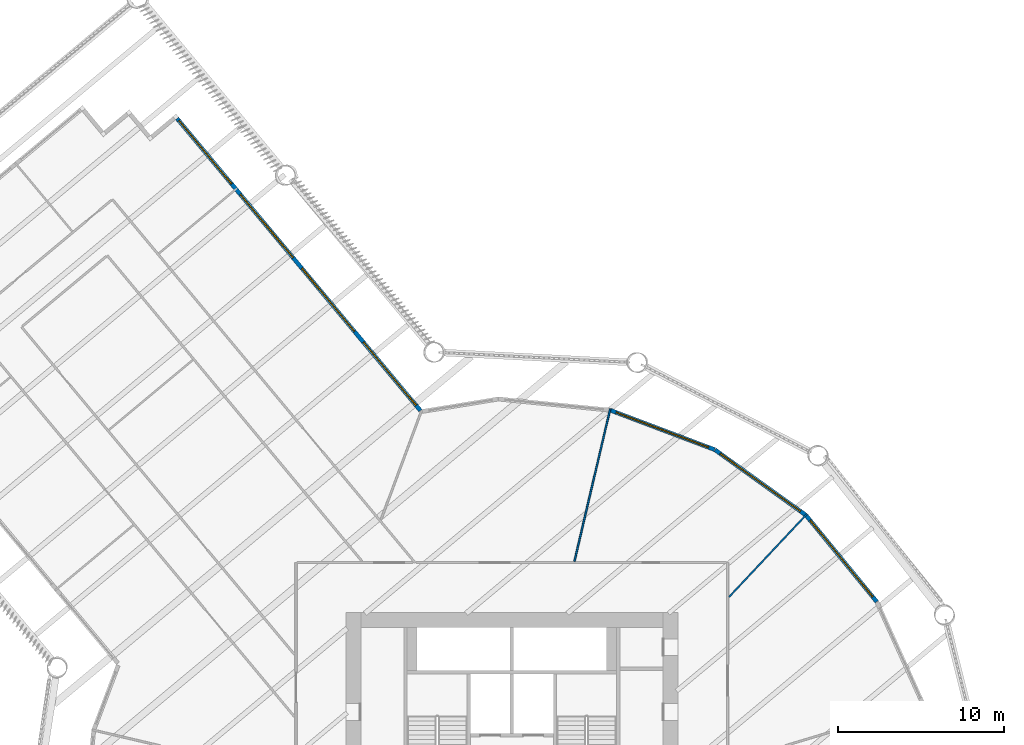
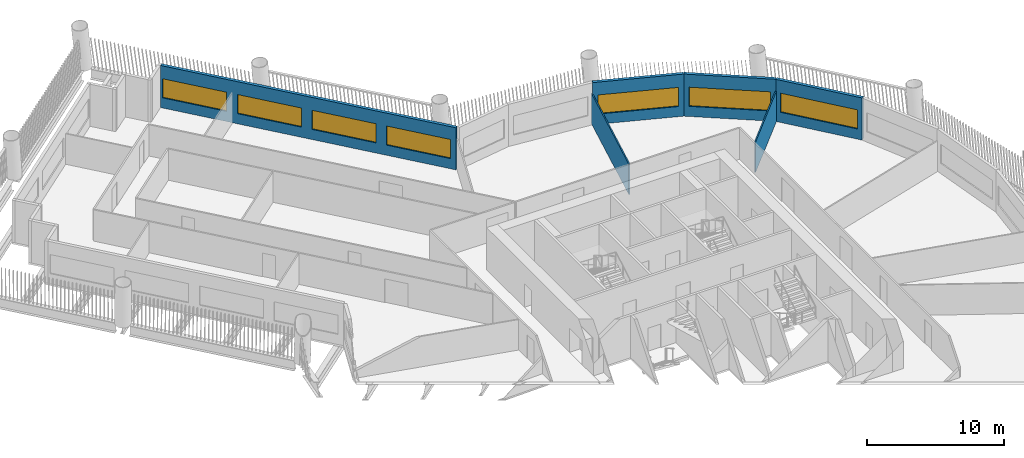
# One storey, part 7 of 15: 7 windows, 6 walls, 7 openings.
"""IFC4 building model written with IfcOpenShell, lengths in metres."""

from ifc_helpers import new_model, si_unit, direction, frame, frame_2d, origin, place, context, subcontext, project, spatial, rectangle, extrude, material, layer, layer_set, type_object, element, fill, save


model = new_model("IFC4")

# Units and contexts
model_context = context("Model", 3, precision=1e-05, world=origin(), true_north=direction((0.0, 1.0)))
body_context = subcontext(model_context, "Body", "Model", "MODEL_VIEW")
ifc_project = project(units=[si_unit("LENGTHUNIT", "METRE"), si_unit("AREAUNIT", "SQUARE_METRE"), si_unit("VOLUMEUNIT", "CUBIC_METRE"), si_unit("PLANEANGLEUNIT", "RADIAN"), si_unit("MASSUNIT", "GRAM", prefix="KILO")], contexts=[model_context])

# Site, building, storey
site_placement = place(None, origin())
site = spatial("IfcSite", under=ifc_project, at=site_placement, CompositionType="ELEMENT")
building_placement = place(site_placement, origin())
building = spatial("IfcBuilding", under=site, at=building_placement, Name="Tarsis Ring Headquarters", CompositionType="ELEMENT")
storey_placement = place(building_placement, frame((0.0, 0.0, 43.89990234375)))
storey = spatial("IfcBuildingStorey", under=building, at=storey_placement, Name="L08", CompositionType="ELEMENT", Elevation=43.89990234375)

# Walls
ifc_material_1 = material(Name="Gypsum board on steel studs", Category="steel")
ifc_layer_1 = layer(ifc_material_1, 0.10009765625)
ifc_layer_set_1 = layer_set([ifc_layer_1], Name="FL partition 100 unrated")
wall_type_1 = type_object("IfcWallType", Name="FL partition 100 unrated", PredefinedType="PARTITIONING", material=ifc_layer_set_1)
wall_1_placement = place(storey_placement, frame((3.768798828125, 16.068115234375, 0.0), z_axis=(0.0, 0.0, 1.0), x_axis=(0.228354822502, 0.97357797584, 0.0)))
element("IfcWall", 1, at=wall_1_placement, inside=storey, type_object=wall_type_1, Name="Partition PW3", PredefinedType="PARTITIONING", context=body_context, shape_type="SweptSolid", body=[
    extrude(rectangle(XDim=9.443603515625, YDim=0.10009765625, at=frame_2d((4.7216796875, 0.0))), origin(), (0.0, 0.0, 1.0), 2.7001953125),
])
wall_2_placement = place(storey_placement, frame((13.089111328125, 13.9384765625, 0.0), z_axis=(0.0, 0.0, 1.0), x_axis=(0.684532108906, 0.728982710273, 0.0)))
element("IfcWall", 2, at=wall_2_placement, inside=storey, type_object=wall_type_1, Name="Partition PW3", PredefinedType="PARTITIONING", context=body_context, shape_type="SweptSolid", body=[
    extrude(rectangle(XDim=6.8271484375, YDim=0.10009765625, at=frame_2d((3.41357421875, 0.0))), origin(), (0.0, 0.0, 1.0), 2.7001953125),
])

# Wall, opening, window
ifc_material_2 = material(Name="Terracotta clad insulated panel wall", Category="masonry")
ifc_layer_2 = layer(ifc_material_2, 0.25)
ifc_layer_set_2 = layer_set([ifc_layer_2], Name="Facade wall terracotta panel 250")
wall_type_2 = type_object("IfcWallType", Name="Facade wall terracotta panel 250", PredefinedType="STANDARD", material=ifc_layer_set_2)
wall_3_placement = place(storey_placement, frame((21.979736328125, 13.647216796875, 0.0), z_axis=(0.0, 0.0, 1.0), x_axis=(-0.63338216798, 0.773839149491, 0.0)))
wall_3 = element("IfcWall", 3, at=wall_3_placement, inside=storey, type_object=wall_type_2, Name="External wall L08-26", PredefinedType="STANDARD", context=body_context, shape_type="SweptSolid", body=[
    extrude(rectangle(XDim=6.7216796875, YDim=0.25, at=frame_2d((3.36083984375, 0.0))), origin(), (0.0, 0.0, 1.0), 3.739990234375),
])
opening_1_placement = place(wall_3_placement, frame((0.3857421875, 0.0, 0.89990234375)))
opening_1 = element("IfcOpeningElement", 4, at=opening_1_placement, cuts=wall_3, Name="Opening WN07", PredefinedType="OPENING", context=body_context, shape_type="SweptSolid", body=[
    extrude(rectangle(XDim=5.949951171875, YDim=1.699951171875, at=frame_2d((2.97509765625, 0.85009765625))), frame((0.0, 0.135009765625, 0.0), z_axis=(0.0, -1.0, 0.0), x_axis=(1.0, 0.0, 0.0)), (0.0, 0.0, 1.0), 0.27001953125),
])
ifc_material_3 = material(Name="Aluminium framed double glazing", Category="aluminium")
window_type_1 = type_object("IfcWindowType", Name="Facade window 5950 x 1700", PartitioningType="SINGLE_PANEL", PredefinedType="WINDOW", material=ifc_material_3)
window_1_placement = place(opening_1_placement, origin())
window_1 = element("IfcWindow", 5, at=window_1_placement, inside=storey, type_object=window_type_1, Name="Window L08-26.1", OverallHeight=1.699951171875, OverallWidth=5.949951171875, PartitioningType="SINGLE_PANEL", PredefinedType="WINDOW", context=body_context, shape_type="SweptSolid", body=[
    extrude(rectangle(XDim=5.949951171875, YDim=1.699951171875, at=frame_2d((2.97509765625, 0.85009765625))), frame((0.0, 0.030029296875, 0.0), z_axis=(0.0, -1.0, 0.0), x_axis=(1.0, 0.0, 0.0)), (0.0, 0.0, 1.0), 0.06005859375),
])
fill(opening_1, window_1)

wall_4_placement = place(storey_placement, frame((17.698486328125, 18.870849609375, 0.0), z_axis=(0.0, 0.0, 1.0), x_axis=(-0.812080993217, 0.583544737321, 0.0)))
wall_4 = element("IfcWall", 6, at=wall_4_placement, inside=storey, type_object=wall_type_2, Name="External wall L08-27", PredefinedType="STANDARD", context=body_context, shape_type="SweptSolid", body=[
    extrude(rectangle(XDim=6.7216796875, YDim=0.25, at=frame_2d((3.36083984375, 0.0))), origin(), (0.0, 0.0, 1.0), 3.739990234375),
])
opening_2_placement = place(wall_4_placement, frame((0.3857421875, 0.0, 0.89990234375)))
opening_2 = element("IfcOpeningElement", 7, at=opening_2_placement, cuts=wall_4, Name="Opening WN07", PredefinedType="OPENING", context=body_context, shape_type="SweptSolid", body=[
    extrude(rectangle(XDim=5.949951171875, YDim=1.699951171875, at=frame_2d((2.97509765625, 0.85009765625))), frame((0.0, 0.135009765625, 0.0), z_axis=(0.0, -1.0, 0.0), x_axis=(1.0, 0.0, 0.0)), (0.0, 0.0, 1.0), 0.27001953125),
])
window_2_placement = place(opening_2_placement, origin())
window_2 = element("IfcWindow", 8, at=window_2_placement, inside=storey, type_object=window_type_1, Name="Window L08-27.1", OverallHeight=1.699951171875, OverallWidth=5.949951171875, PartitioningType="SINGLE_PANEL", PredefinedType="WINDOW", context=body_context, shape_type="SweptSolid", body=[
    extrude(rectangle(XDim=5.949951171875, YDim=1.699951171875, at=frame_2d((2.97509765625, 0.85009765625))), frame((0.0, 0.030029296875, 0.0), z_axis=(0.0, -1.0, 0.0), x_axis=(1.0, 0.0, 0.0)), (0.0, 0.0, 1.0), 0.06005859375),
])
fill(opening_2, window_2)

wall_5_placement = place(storey_placement, frame((12.21142578125, 22.80859375, 0.0), z_axis=(0.0, 0.0, 1.0), x_axis=(-0.935439534793, 0.353486741967, 0.0)))
wall_5 = element("IfcWall", 9, at=wall_5_placement, inside=storey, type_object=wall_type_2, Name="External wall L08-28", PredefinedType="STANDARD", context=body_context, shape_type="SweptSolid", body=[
    extrude(rectangle(XDim=6.721435546875, YDim=0.25, at=frame_2d((3.36083984375, 0.0))), origin(), (0.0, 0.0, 1.0), 3.739990234375),
])
opening_3_placement = place(wall_5_placement, frame((0.3857421875, 0.0, 0.89990234375)))
opening_3 = element("IfcOpeningElement", 10, at=opening_3_placement, cuts=wall_5, Name="Opening WN07", PredefinedType="OPENING", context=body_context, shape_type="SweptSolid", body=[
    extrude(rectangle(XDim=5.949951171875, YDim=1.699951171875, at=frame_2d((2.97509765625, 0.85009765625))), frame((0.0, 0.135009765625, 0.0), z_axis=(0.0, -1.0, 0.0), x_axis=(1.0, 0.0, 0.0)), (0.0, 0.0, 1.0), 0.27001953125),
])
window_3_placement = place(opening_3_placement, origin())
window_3 = element("IfcWindow", 11, at=window_3_placement, inside=storey, type_object=window_type_1, Name="Window L08-28.1", OverallHeight=1.699951171875, OverallWidth=5.949951171875, PartitioningType="SINGLE_PANEL", PredefinedType="WINDOW", context=body_context, shape_type="SweptSolid", body=[
    extrude(rectangle(XDim=5.949951171875, YDim=1.699951171875, at=frame_2d((2.97509765625, 0.85009765625))), frame((0.0, 0.030029296875, 0.0), z_axis=(0.0, -1.0, 0.0), x_axis=(1.0, 0.0, 0.0)), (0.0, 0.0, 1.0), 0.06005859375),
])
fill(opening_3, window_3)

# Wall, openings, windows
wall_6_placement = place(storey_placement, frame((-5.502197265625, 25.155517578125, 0.0), z_axis=(0.0, 0.0, 1.0), x_axis=(-0.640110996432, 0.768282443016, 0.0)))
wall_6 = element("IfcWall", 12, at=wall_6_placement, inside=storey, type_object=wall_type_2, Name="External wall L08-31", PredefinedType="STANDARD", context=body_context, shape_type="SweptSolid", body=[
    extrude(rectangle(XDim=22.9013671875, YDim=0.25, at=frame_2d((11.45068359375, 0.0))), origin(), (0.0, 0.0, 1.0), 3.739990234375),
])
opening_4_placement = place(wall_6_placement, frame((0.4189453125, 0.0, 0.89990234375)))
opening_4 = element("IfcOpeningElement", 13, at=opening_4_placement, cuts=wall_6, Name="Opening WN05", PredefinedType="OPENING", context=body_context, shape_type="SweptSolid", body=[
    extrude(rectangle(XDim=4.949951171875, YDim=1.699951171875, at=frame_2d((2.47509765625, 0.85009765625))), frame((0.0, 0.135009765625, 0.0), z_axis=(0.0, -1.0, 0.0), x_axis=(1.0, 0.0, 0.0)), (0.0, 0.0, 1.0), 0.27001953125),
])
opening_5_placement = place(wall_6_placement, frame((6.206787109375, 0.0, 0.89990234375)))
opening_5 = element("IfcOpeningElement", 14, at=opening_5_placement, cuts=wall_6, Name="Opening WN05", PredefinedType="OPENING", context=body_context, shape_type="SweptSolid", body=[
    extrude(rectangle(XDim=4.949951171875, YDim=1.699951171875, at=frame_2d((2.47509765625, 0.85009765625))), frame((0.0, 0.135009765625, 0.0), z_axis=(0.0, -1.0, 0.0), x_axis=(1.0, 0.0, 0.0)), (0.0, 0.0, 1.0), 0.27001953125),
])
opening_6_placement = place(wall_6_placement, frame((11.99462890625, 0.0, 0.89990234375)))
opening_6 = element("IfcOpeningElement", 15, at=opening_6_placement, cuts=wall_6, Name="Opening WN05", PredefinedType="OPENING", context=body_context, shape_type="SweptSolid", body=[
    extrude(rectangle(XDim=4.949951171875, YDim=1.699951171875, at=frame_2d((2.47509765625, 0.85009765625))), frame((0.0, 0.135009765625, 0.0), z_axis=(0.0, -1.0, 0.0), x_axis=(1.0, 0.0, 0.0)), (0.0, 0.0, 1.0), 0.27001953125),
])
opening_7_placement = place(wall_6_placement, frame((17.782470703125, 0.0, 0.89990234375)))
opening_7 = element("IfcOpeningElement", 16, at=opening_7_placement, cuts=wall_6, Name="Opening WN05", PredefinedType="OPENING", context=body_context, shape_type="SweptSolid", body=[
    extrude(rectangle(XDim=4.949951171875, YDim=1.699951171875, at=frame_2d((2.47509765625, 0.85009765625))), frame((0.0, 0.135009765625, 0.0), z_axis=(0.0, -1.0, 0.0), x_axis=(1.0, 0.0, 0.0)), (0.0, 0.0, 1.0), 0.27001953125),
])
window_type_2 = type_object("IfcWindowType", Name="Facade window 4950 x 1700", PartitioningType="SINGLE_PANEL", PredefinedType="WINDOW", material=ifc_material_3)
window_4_placement = place(opening_4_placement, origin())
window_4 = element("IfcWindow", 17, at=window_4_placement, inside=storey, type_object=window_type_2, Name="Window L08-31.1", OverallHeight=1.699951171875, OverallWidth=4.949951171875, PartitioningType="SINGLE_PANEL", PredefinedType="WINDOW", context=body_context, shape_type="SweptSolid", body=[
    extrude(rectangle(XDim=4.949951171875, YDim=1.699951171875, at=frame_2d((2.47509765625, 0.85009765625))), frame((0.0, 0.030029296875, 0.0), z_axis=(0.0, -1.0, 0.0), x_axis=(1.0, 0.0, 0.0)), (0.0, 0.0, 1.0), 0.06005859375),
])
fill(opening_4, window_4)
window_5_placement = place(opening_5_placement, origin())
window_5 = element("IfcWindow", 18, at=window_5_placement, inside=storey, type_object=window_type_2, Name="Window L08-31.2", OverallHeight=1.699951171875, OverallWidth=4.949951171875, PartitioningType="SINGLE_PANEL", PredefinedType="WINDOW", context=body_context, shape_type="SweptSolid", body=[
    extrude(rectangle(XDim=4.949951171875, YDim=1.699951171875, at=frame_2d((2.47509765625, 0.85009765625))), frame((0.0, 0.030029296875, 0.0), z_axis=(0.0, -1.0, 0.0), x_axis=(1.0, 0.0, 0.0)), (0.0, 0.0, 1.0), 0.06005859375),
])
fill(opening_5, window_5)
window_6_placement = place(opening_6_placement, origin())
window_6 = element("IfcWindow", 19, at=window_6_placement, inside=storey, type_object=window_type_2, Name="Window L08-31.3", OverallHeight=1.699951171875, OverallWidth=4.949951171875, PartitioningType="SINGLE_PANEL", PredefinedType="WINDOW", context=body_context, shape_type="SweptSolid", body=[
    extrude(rectangle(XDim=4.949951171875, YDim=1.699951171875, at=frame_2d((2.47509765625, 0.85009765625))), frame((0.0, 0.030029296875, 0.0), z_axis=(0.0, -1.0, 0.0), x_axis=(1.0, 0.0, 0.0)), (0.0, 0.0, 1.0), 0.06005859375),
])
fill(opening_6, window_6)
window_7_placement = place(opening_7_placement, origin())
window_7 = element("IfcWindow", 20, at=window_7_placement, inside=storey, type_object=window_type_2, Name="Window L08-31.4", OverallHeight=1.699951171875, OverallWidth=4.949951171875, PartitioningType="SINGLE_PANEL", PredefinedType="WINDOW", context=body_context, shape_type="SweptSolid", body=[
    extrude(rectangle(XDim=4.949951171875, YDim=1.699951171875, at=frame_2d((2.47509765625, 0.85009765625))), frame((0.0, 0.030029296875, 0.0), z_axis=(0.0, -1.0, 0.0), x_axis=(1.0, 0.0, 0.0)), (0.0, 0.0, 1.0), 0.06005859375),
])
fill(opening_7, window_7)

save(model, "model.ifc")
